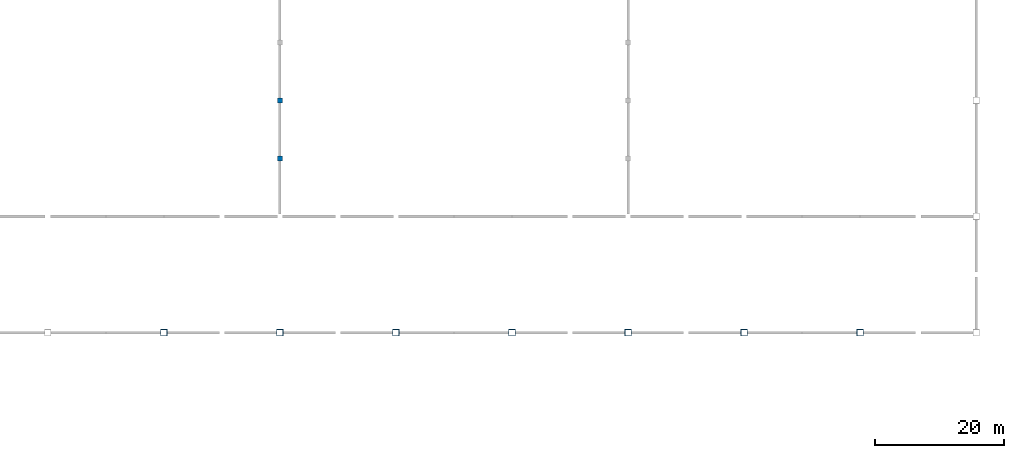
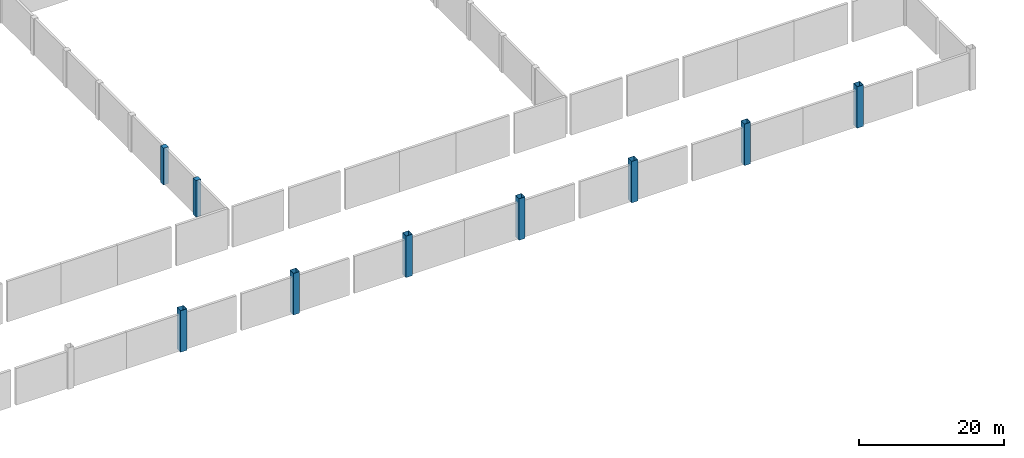
# One storey, part 3 of 85: 9 columns.
"""IFC4 building model written with IfcOpenShell, lengths in metres."""

from ifc_helpers import new_model, si_unit, direction, frame, origin, origin_2d, place, context, subcontext, project, spatial, rectangle, hollow_rectangle, extrude, material, material_profile, profile_set, type_object, element, save


model = new_model("IFC4")

# Units and contexts
model_context = context("Model", 3, precision=1e-05, world=origin(), true_north=direction((0.0, 1.0)))
body_context = subcontext(model_context, "Body", "Model", "MODEL_VIEW")
ifc_project = project(units=[si_unit("LENGTHUNIT", "METRE"), si_unit("AREAUNIT", "SQUARE_METRE"), si_unit("VOLUMEUNIT", "CUBIC_METRE"), si_unit("PLANEANGLEUNIT", "RADIAN"), si_unit("MASSUNIT", "GRAM", prefix="KILO")], contexts=[model_context])

# Site, building, storey
site_placement = place(None, origin())
site = spatial("IfcSite", under=ifc_project, at=site_placement, CompositionType="ELEMENT")
building_placement = place(site_placement, origin())
building = spatial("IfcBuilding", under=site, at=building_placement, Name="Opaline Strait Convention Centre", CompositionType="ELEMENT")
storey_placement = place(building_placement, frame((0.0, 0.0, 17.0)))
storey = spatial("IfcBuildingStorey", under=building, at=storey_placement, Name="L03", CompositionType="ELEMENT", Elevation=17.0)

# Columns
ifc_material_1 = material(Name="Steel Q355B", Category="steel")
ifc_material_profile_1 = material_profile(ifc_material_1, hollow_rectangle(XDim=1.0, YDim=1.0, WallThickness=0.031982421875, at=origin_2d()), Name="BOX 1000x1000x32")
ifc_profile_set_1 = profile_set([ifc_material_profile_1], Name="Steel Q355B")
column_type_1 = type_object("IfcColumnType", Name="CFT column BOX 1000x1000x32 C60 fill", PredefinedType="COLUMN", material=ifc_profile_set_1)
for number, where, z_axis, x_axis, name in (
    (1, (135.0, 54.0, 0.0), (0.0, 0.0, 1.0), (1.0, 0.0, 0.0), "Roof column XC-10"),
    (2, (153.0, 54.0, 0.0), (0.0, 0.0, 1.0), (1.0, 0.0, 0.0), "Roof column XC-12"),
    (3, (171.0, 54.0, 0.0), (0.0, 0.0, 1.0), (1.0, 0.0, 0.0), "Roof column XC-14"),
    (4, (189.0, 54.0, 0.0), (0.0, 0.0, 1.0), (1.0, 0.0, 0.0), "Roof column XC-16"),
    (5, (207.0, 54.0, 0.0), (0.0, 0.0, 1.0), (1.0, 0.0, 0.0), "Roof column XC-18"),
    (6, (225.0, 54.0, 0.0), (0.0, 0.0, 1.0), (1.0, 0.0, 0.0), "Roof column XC-20"),
    (7, (243.0, 54.0, 0.0), (0.0, 0.0, 1.0), (1.0, 0.0, 0.0), "Roof column XC-22"),
):
    element("IfcColumn", number, at=place(storey_placement, frame(where, z_axis=z_axis, x_axis=x_axis)), inside=storey, type_object=column_type_1, Name=name, ObjectType="XC1", PredefinedType="COLUMN", context=body_context, shape_type="SweptSolid", body=[
        extrude(hollow_rectangle(XDim=1.0, YDim=1.0, WallThickness=0.031982421875, at=origin_2d()), origin(), (0.0, 0.0, 1.0), 7.0),
    ])
ifc_material_2 = material(Name="Concrete C40", Category="concrete")
ifc_material_profile_2 = material_profile(ifc_material_2, rectangle(XDim=0.800048828125, YDim=0.800048828125, at=origin_2d()), Name="RC 800x800")
ifc_profile_set_2 = profile_set([ifc_material_profile_2], Name="Concrete C40")
column_type_2 = type_object("IfcColumnType", Name="RC column 800x800 C40", PredefinedType="COLUMN", material=ifc_profile_set_2)
for number, where, z_axis, x_axis, name in (
    (8, (153.0, 81.0, 0.0), (0.0, 0.0, 1.0), (1.0, 0.0, 0.0), "Fire wall pilaster above L03"),
    (9, (153.0, 90.0, 0.0), (0.0, 0.0, 1.0), (1.0, 0.0, 0.0), "Fire wall pilaster above L03"),
):
    element("IfcColumn", number, at=place(storey_placement, frame(where, z_axis=z_axis, x_axis=x_axis)), inside=storey, type_object=column_type_2, Name=name, ObjectType="XC2", PredefinedType="COLUMN", context=body_context, shape_type="SweptSolid", body=[
        extrude(rectangle(XDim=0.800048828125, YDim=0.800048828125, at=origin_2d()), origin(), (0.0, 0.0, 1.0), 6.199951171875),
    ])

save(model, "model.ifc")
